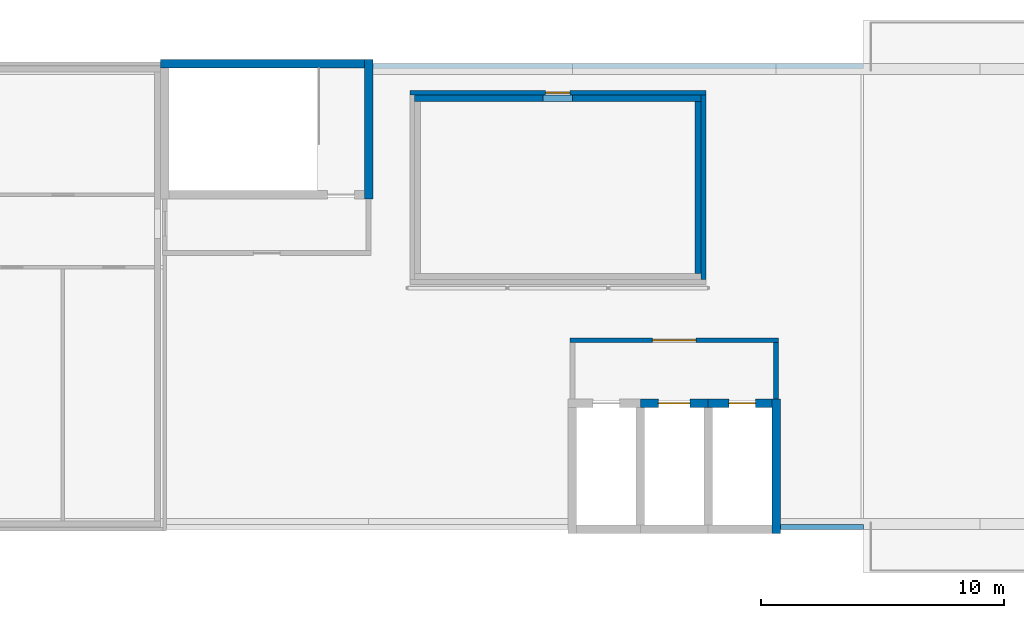
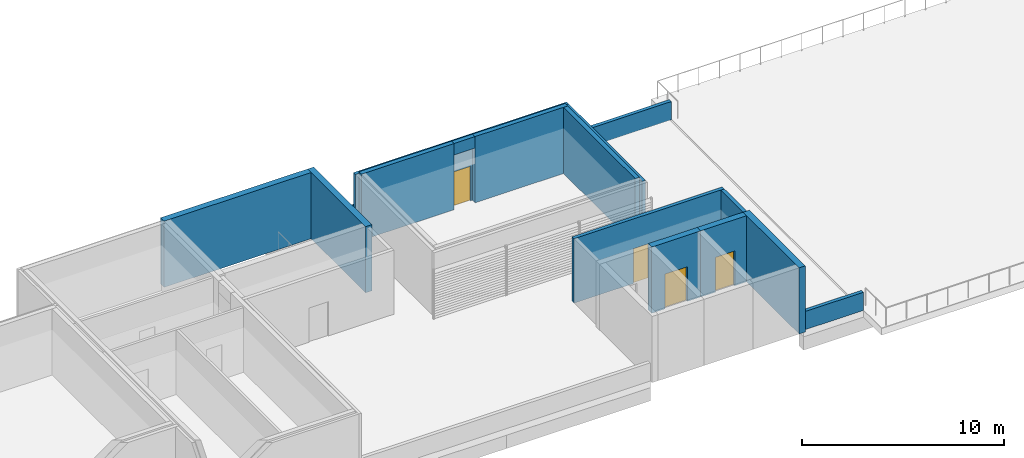
# One storey, part 4 of 13: 15 walls, 4 doors, 4 openings.
"""IFC4 building model written with IfcOpenShell, lengths in metres."""

import ifcopenshell
import ifcopenshell.guid

model = None  # the IFC model being written
_history = None  # IfcOwnerHistory: only IFC2X3 demands one
_inside = {}  # id of a spatial element -> (the spatial element, [elements in it])
_under = {}  # id of a project, library or spatial element -> (it, [spatial elements below it])
_declared = {}  # id of a project -> (the project, [libraries it declares])
_typed = {}  # id of a type object -> (the type object, [elements of that type])
_made_of = {}  # id of a material, layer set ... -> (it, [elements and type objects made of it])


def new_model(schema):
    """Start an empty IFC model of exactly this schema.

    Asked for "IFC4X3", IfcOpenShell would pick the latest addendum, in which some entities
    have other attributes; the version numbers below select the first issue.
    IFC2X3 requires an IfcOwnerHistory on every rooted entity: one is made here for all.
    """
    global model, _history
    if schema == "IFC4X3":
        model = ifcopenshell.file(schema_version=(4, 3, 0, 0))
    else:
        model = ifcopenshell.file(schema=schema)
    _inside.clear()
    _under.clear()
    _declared.clear()
    _typed.clear()
    _made_of.clear()
    _history = None
    if model.schema == "IFC2X3":
        org = make("IfcOrganization", Name="unknown")
        user = make(
            "IfcPersonAndOrganization",
            ThePerson=make("IfcPerson", FamilyName="unknown"),
            TheOrganization=org,
        )
        app = make(
            "IfcApplication",
            ApplicationDeveloper=org,
            Version="unknown",
            ApplicationFullName="unknown",
            ApplicationIdentifier="unknown",
        )
        _history = make(
            "IfcOwnerHistory",
            OwningUser=user,
            OwningApplication=app,
            ChangeAction="ADDED",
            CreationDate=0,
        )
    return model


def make(cls, **values):
    """One entity of the class cls with the attributes given. An attribute that is None is left unset."""
    return model.create_entity(
        cls, **{name: value for name, value in values.items() if value is not None}
    )


def rooted(cls, **values):
    """An entity with a GlobalId (a new one), such as an element, a storey or a relation."""
    return make(cls, GlobalId=ifcopenshell.guid.new(), OwnerHistory=_history, **values)


def si_unit(unit_type, name, prefix=None):
    """IfcSIUnit, for example si_unit("LENGTHUNIT", "METRE", prefix="MILLI")."""
    return make("IfcSIUnit", UnitType=unit_type, Prefix=prefix, Name=name)


def assignment(units):
    """IfcUnitAssignment: the units of a project."""
    return None if units is None else make("IfcUnitAssignment", Units=units)


def point(xyz):
    """IfcCartesianPoint."""
    return None if xyz is None else make("IfcCartesianPoint", Coordinates=xyz)


def direction(xyz):
    """IfcDirection."""
    return None if xyz is None else make("IfcDirection", DirectionRatios=xyz)


def frame(location, z_axis=None, x_axis=None):
    """IfcAxis2Placement3D, a coordinate frame: its origin and axes. An axis left out is left unset."""
    return make(
        "IfcAxis2Placement3D",
        Location=point(location),
        Axis=direction(z_axis),
        RefDirection=direction(x_axis),
    )


def frame_2d(location, x_axis=None):
    """IfcAxis2Placement2D, a coordinate frame in the plane: its origin and x axis."""
    return make(
        "IfcAxis2Placement2D", Location=point(location), RefDirection=direction(x_axis)
    )


def origin():
    """The frame at (0, 0, 0) with its axes left unset."""
    return frame((0.0, 0.0, 0.0))


def place(relative_to, where):
    """IfcLocalPlacement: puts the frame where relative to a parent placement (None: the world)."""
    return make(
        "IfcLocalPlacement", PlacementRelTo=relative_to, RelativePlacement=where
    )


def context(
    kind, dimensions, precision=None, world=None, true_north=None, identifier=None
):
    """IfcGeometricRepresentationContext, for example the 3D "Model" context."""
    return make(
        "IfcGeometricRepresentationContext",
        ContextIdentifier=identifier,
        ContextType=kind,
        CoordinateSpaceDimension=dimensions,
        Precision=precision,
        WorldCoordinateSystem=world,
        TrueNorth=true_north,
    )


def subcontext(parent, identifier, kind, view, scale=None):
    """IfcGeometricRepresentationSubContext, for example "Body" below "Model"."""
    return make(
        "IfcGeometricRepresentationSubContext",
        ContextIdentifier=identifier,
        ContextType=kind,
        ParentContext=parent,
        TargetScale=scale,
        TargetView=view,
    )


def project(units=None, contexts=None):
    """IfcProject with its units and contexts."""
    return rooted(
        "IfcProject",
        Name="project",
        RepresentationContexts=contexts,
        UnitsInContext=assignment(units),
    )


def spatial(cls, under=None, at=None, **own):
    """A site, building, storey or space (cls), placed at a placement, below another one or the project."""
    s = rooted(cls, ObjectPlacement=at, **own)
    if under is not None:
        _under.setdefault(under.id(), (under, []))[1].append(s)
    return s


def polyline(points):
    """IfcPolyline through the points."""
    return make("IfcPolyline", Points=[point(p) for p in points])


def profile(cls, at=None, kind="AREA", **sizes):
    """A parametric profile (cls). Its sizes go by their IFC names, for example OverallWidth=200.0."""
    return make(cls, ProfileType=kind, Position=at, **sizes)


def rectangle(**sizes):
    """IfcRectangleProfileDef."""
    return profile("IfcRectangleProfileDef", **sizes)


def outline(outer, holes=None, kind="AREA"):
    """IfcArbitraryClosedProfileDef: a profile drawn as a closed curve; with holes, ...WithVoids."""
    if holes is None:
        return make("IfcArbitraryClosedProfileDef", ProfileType=kind, OuterCurve=outer)
    return make(
        "IfcArbitraryProfileDefWithVoids",
        ProfileType=kind,
        OuterCurve=outer,
        InnerCurves=holes,
    )


def extrude(swept, where, along, depth):
    """IfcExtrudedAreaSolid: the profile swept, set in the frame where, extruded along a direction by depth."""
    return make(
        "IfcExtrudedAreaSolid",
        SweptArea=swept,
        Position=where,
        ExtrudedDirection=direction(along),
        Depth=depth,
    )


def shape(context_of_items, identifier, shape_type, items):
    """IfcShapeRepresentation: the items that make up one representation, for example the "Body"."""
    return make(
        "IfcShapeRepresentation",
        ContextOfItems=context_of_items,
        RepresentationIdentifier=identifier,
        RepresentationType=shape_type,
        Items=items,
    )


def material(Name=None, Category=None):
    """IfcMaterial."""
    return make("IfcMaterial", Name=Name, Category=Category)


def layer(
    of_material, thickness, ventilated=None, Name=None, Category=None, Priority=None
):
    """IfcMaterialLayer: one layer of a wall or slab, of a material (None: an air gap)."""
    return make(
        "IfcMaterialLayer",
        Material=of_material,
        LayerThickness=thickness,
        IsVentilated=ventilated,
        Name=Name,
        Category=Category,
        Priority=Priority,
    )


def layer_set(layers, Name=None):
    """IfcMaterialLayerSet."""
    return make("IfcMaterialLayerSet", MaterialLayers=layers, LayerSetName=Name)


def made_of(thing, what):
    """Note that an element or type object is made of a material, layer set ...; save() writes the relation."""
    if what is not None:
        _made_of.setdefault(what.id(), (what, []))[1].append(thing)
    return thing


def type_object(cls, material=None, **own):
    """A type object (cls), such as IfcWallType, which elements share."""
    return made_of(rooted(cls, **own), material)


def element(
    cls,
    number,
    at=None,
    inside=None,
    cuts=None,
    type_object=None,
    material=None,
    context=None,
    identifier="Body",
    shape_type=None,
    held_by="IfcProductDefinitionShape",
    body=None,
    shapes=None,
    **own,
):
    """One element of the class cls, such as IfcWall. Its Tag is "e" and its number.

    at: its placement. inside: the storey or other place that contains it. cuts: it is an
    opening in that element (IfcRelVoidsElement). A single representation is given by context,
    identifier, shape_type and body (its items); several are given by shapes. held_by: the class
    of the entity that holds the representations. save() writes the other relations.
    """
    e = rooted(cls, Tag="e%d" % number, ObjectPlacement=at, **own)
    if body is not None:
        shapes = [shape(context, identifier, shape_type, body)]
    if shapes is not None:
        e.Representation = make(held_by, Representations=shapes)
    if inside is not None:
        _inside.setdefault(inside.id(), (inside, []))[1].append(e)
    if cuts is not None:
        rooted(
            "IfcRelVoidsElement", RelatingBuildingElement=cuts, RelatedOpeningElement=e
        )
    if type_object is not None:
        _typed.setdefault(type_object.id(), (type_object, []))[1].append(e)
    return made_of(e, material)


def fill(opening, filler):
    """IfcRelFillsElement: the door or window that sits in an opening."""
    return rooted(
        "IfcRelFillsElement",
        RelatingOpeningElement=opening,
        RelatedBuildingElement=filler,
    )


def aggregate(whole, parts):
    """IfcRelAggregates: a whole, such as a stair, and the parts it consists of."""
    return rooted("IfcRelAggregates", RelatingObject=whole, RelatedObjects=parts)


def save(model, path):
    """Write the relations noted so far, then the file.

    IfcRelAggregates (storeys below a building ...), IfcRelContainedInSpatialStructure (elements
    in a storey), IfcRelDefinesByType, IfcRelAssociatesMaterial and IfcRelDeclares: one each for
    every whole, place, type object, material and project.
    """
    for whole, parts in _under.values():
        aggregate(whole, parts)
    for where, things in _inside.values():
        rooted(
            "IfcRelContainedInSpatialStructure",
            RelatedElements=things,
            RelatingStructure=where,
        )
    for kind, things in _typed.values():
        rooted("IfcRelDefinesByType", RelatedObjects=things, RelatingType=kind)
    for what, things in _made_of.values():
        rooted("IfcRelAssociatesMaterial", RelatedObjects=things, RelatingMaterial=what)
    for by, libraries in _declared.values():
        rooted("IfcRelDeclares", RelatingContext=by, RelatedDefinitions=libraries)
    model.write(path)


model = new_model("IFC4")

# Units and contexts
model_context = context("Model", 3, precision=1e-05, world=origin(), true_north=direction((0.0, 1.0)))
body_context = subcontext(model_context, "Body", "Model", "MODEL_VIEW")
ifc_project = project(units=[si_unit("LENGTHUNIT", "METRE"), si_unit("AREAUNIT", "SQUARE_METRE"), si_unit("VOLUMEUNIT", "CUBIC_METRE"), si_unit("PLANEANGLEUNIT", "RADIAN"), si_unit("MASSUNIT", "GRAM", prefix="KILO")], contexts=[model_context])

# Site, building, storey
site_placement = place(None, origin())
site = spatial("IfcSite", under=ifc_project, at=site_placement, CompositionType="ELEMENT")
building_placement = place(site_placement, origin())
building = spatial("IfcBuilding", under=site, at=building_placement, Name="Bougainvillea Quay General Hospital", CompositionType="ELEMENT")
storey_placement = place(building_placement, frame((0.0, 0.0, 36.60009765625)))
storey = spatial("IfcBuildingStorey", under=building, at=storey_placement, Name="L08", CompositionType="ELEMENT", Elevation=36.60009765625)

# Walls
ifc_material_1 = material(Name="Concrete C40, cast in situ", Category="concrete")
ifc_layer_1 = layer(ifc_material_1, 0.25)
ifc_layer_set_1 = layer_set([ifc_layer_1], Name="Concrete C40, cast in situ")
wall_type_1 = type_object("IfcWallType", Name="Lift overrun wall RC 250", PredefinedType="SOLIDWALL", material=ifc_layer_set_1)
wall_1_placement = place(storey_placement, origin())
element("IfcWall", 1, at=wall_1_placement, inside=storey, type_object=wall_type_1, Name="Lift overrun wall 0", PredefinedType="SOLIDWALL", context=body_context, shape_type="SweptSolid", body=[
    extrude(outline(polyline([(144.700439453125, 158.049560546875), (144.700439453125, 158.299560546875), (150.0, 158.299560546875), (150.0, 158.049560546875), (144.700439453125, 158.049560546875)])), origin(), (0.0, 0.0, 1.0), 4.0),
])
wall_2_placement = place(storey_placement, origin())
element("IfcWall", 2, at=wall_2_placement, inside=storey, type_object=wall_type_1, Name="Lift overrun wall 0", PredefinedType="SOLIDWALL", context=body_context, shape_type="SweptSolid", body=[
    extrude(outline(polyline([(156.24951171875, 150.950439453125), (156.49951171875, 150.950439453125), (156.49951171875, 158.049560546875), (156.24951171875, 158.049560546875), (156.24951171875, 150.950439453125)])), origin(), (0.0, 0.0, 1.0), 4.0),
])
wall_3_placement = place(storey_placement, origin())
element("IfcWall", 3, at=wall_3_placement, inside=storey, type_object=wall_type_1, Name="Lift overrun wall 0", PredefinedType="SOLIDWALL", context=body_context, shape_type="SweptSolid", body=[
    extrude(outline(polyline([(156.49951171875, 158.299560546875), (156.49951171875, 158.049560546875), (151.199951171875, 158.049560546875), (151.199951171875, 158.299560546875), (156.49951171875, 158.299560546875)])), origin(), (0.0, 0.0, 1.0), 4.0),
])
wall_4_placement = place(storey_placement, frame((0.0, 0.0, 3.309814453125)))
element("IfcWall", 4, at=wall_4_placement, inside=storey, type_object=wall_type_1, Name="Lift overrun wall 0", PredefinedType="SOLIDWALL", context=body_context, shape_type="SweptSolid", body=[
    extrude(outline(polyline([(150.0, 158.049560546875), (150.0, 158.299560546875), (151.199951171875, 158.299560546875), (151.199951171875, 158.049560546875), (150.0, 158.049560546875)])), origin(), (0.0, 0.0, 1.0), 0.690185546875),
])

# Wall, opening, door
ifc_material_2 = material(Name="Fire-rated autoclaved aerated block wall, plastered")
ifc_layer_2 = layer(ifc_material_2, 0.199951171875)
ifc_layer_set_2 = layer_set([ifc_layer_2], Name="Fire-rated autoclaved aerated block wall, plastered")
wall_type_2 = type_object("IfcWallType", Name="Partition 200 Fire-rated autoclaved aerated block wall EI 120", PredefinedType="SOLIDWALL", material=ifc_layer_set_2)
wall_5_placement = place(storey_placement, frame((151.10009765625, 148.199951171875, 0.0), z_axis=(0.0, 0.0, 1.0), x_axis=(1.0, 0.0, 0.0)))
wall_5 = element("IfcWall", 5, at=wall_5_placement, inside=storey, type_object=wall_type_2, Name="Partition 200 mm EI 120", PredefinedType="SOLIDWALL", context=body_context, shape_type="SweptSolid", body=[
    extrude(rectangle(XDim=8.599853515625, YDim=0.199951171875, at=frame_2d((4.2998046875, 0.0))), origin(), (0.0, 0.0, 1.0), 3.89990234375),
])
opening_1_placement = place(wall_5_placement, frame((3.39990234375, 0.0, 0.0)))
opening_1 = element("IfcOpeningElement", 6, at=opening_1_placement, cuts=wall_5, Name="Opening L08.001", PredefinedType="OPENING", context=body_context, shape_type="SweptSolid", body=[
    extrude(rectangle(XDim=1.800048828125, YDim=2.10009765625, at=frame_2d((0.89990234375, 1.050048828125))), frame((0.0, 0.10986328125, 0.0), z_axis=(0.0, -1.0, 0.0), x_axis=(1.0, 0.0, 0.0)), (0.0, 0.0, 1.0), 0.219970703125),
])
ifc_material_3 = material(Name="Steel fire door leaves in steel frame", Category="steel")
door_type_1 = type_object("IfcDoorType", Name="Steel double leaf door 1800x2100 FD60", OperationType="DOUBLE_DOOR_SINGLE_SWING", PredefinedType="DOOR", material=ifc_material_3)
door_1_placement = place(opening_1_placement, frame((1.800048828125, 0.0, 0.0), z_axis=(0.0, 0.0, 1.0), x_axis=(-1.0, 0.0, 0.0)))
door_1 = element("IfcDoor", 7, at=door_1_placement, inside=storey, type_object=door_type_1, Name="DT05 L08.001", OperationType="DOUBLE_DOOR_SINGLE_SWING", OverallHeight=2.10009765625, OverallWidth=1.800048828125, PredefinedType="DOOR", context=body_context, shape_type="SweptSolid", body=[
    extrude(rectangle(XDim=1.800048828125, YDim=2.10009765625, at=frame_2d((0.89990234375, 1.050048828125))), frame((0.0, 0.02490234375, 0.0), z_axis=(0.0, -1.0, 0.0), x_axis=(1.0, 0.0, 0.0)), (0.0, 0.0, 1.0), 0.050048828125),
])
fill(opening_1, door_1)

# Wall
wall_6_placement = place(storey_placement, frame((159.60009765625, 145.77490234375, 0.0), z_axis=(0.0, 0.0, 1.0), x_axis=(0.0, 1.0, 0.0)))
element("IfcWall", 8, at=wall_6_placement, inside=storey, type_object=wall_type_2, Name="Partition 200 mm EI 120", PredefinedType="SOLIDWALL", context=body_context, shape_type="SweptSolid", body=[
    extrude(rectangle(XDim=2.3251953125, YDim=0.199951171875, at=frame_2d((1.16259765625, 0.0))), origin(), (0.0, 0.0, 1.0), 3.89990234375),
])

# Wall, opening, door
ifc_layer_3 = layer(ifc_material_2, 0.199951171875)
ifc_layer_set_3 = layer_set([ifc_layer_3], Name="Fire-rated autoclaved aerated block wall, plastered")
wall_type_3 = type_object("IfcWallType", Name="Partition 200 Fire-rated autoclaved aerated block wall EI 60", PredefinedType="SOLIDWALL", material=ifc_layer_set_3)
wall_7_placement = place(storey_placement, frame((144.5, 158.39990234375, 0.0), z_axis=(0.0, 0.0, 1.0), x_axis=(1.0, 0.0, 0.0)))
wall_7 = element("IfcWall", 9, at=wall_7_placement, inside=storey, type_object=wall_type_3, Name="Partition 200 mm EI 60", PredefinedType="SOLIDWALL", context=body_context, shape_type="SweptSolid", body=[
    extrude(rectangle(XDim=12.199951171875, YDim=0.199951171875, at=frame_2d((6.10009765625, 0.0))), origin(), (0.0, 0.0, 1.0), 3.89990234375),
])
opening_2_placement = place(wall_7_placement, frame((5.60009765625, 0.0, 0.0)))
opening_2 = element("IfcOpeningElement", 10, at=opening_2_placement, cuts=wall_7, Name="Opening L08.015", PredefinedType="OPENING", context=body_context, shape_type="SweptSolid", body=[
    extrude(rectangle(XDim=1.0, YDim=2.10009765625, at=frame_2d((0.5, 1.050048828125))), frame((0.0, 0.10986328125, 0.0), z_axis=(0.0, -1.0, 0.0), x_axis=(1.0, 0.0, 0.0)), (0.0, 0.0, 1.0), 0.219970703125),
])
ifc_material_4 = material(Name="Steel fire door leaf in steel frame", Category="steel")
door_type_2 = type_object("IfcDoorType", Name="Steel single leaf door 1000x2100 FD60", OperationType="NOTDEFINED", PredefinedType="DOOR", material=ifc_material_4)
door_2_placement = place(opening_2_placement, origin())
door_2 = element("IfcDoor", 11, at=door_2_placement, inside=storey, type_object=door_type_2, Name="DT10 L08.015", OperationType="SINGLE_SWING_LEFT", OverallHeight=2.10009765625, OverallWidth=1.0, PredefinedType="DOOR", context=body_context, shape_type="SweptSolid", body=[
    extrude(rectangle(XDim=1.0, YDim=2.10009765625, at=frame_2d((0.5, 1.050048828125))), frame((0.0, 0.02490234375, 0.0), z_axis=(0.0, -1.0, 0.0), x_axis=(1.0, 0.0, 0.0)), (0.0, 0.0, 1.0), 0.050048828125),
])
fill(opening_2, door_2)

# Walls
wall_8_placement = place(storey_placement, frame((156.60009765625, 150.699951171875, 0.0), z_axis=(0.0, 0.0, 1.0), x_axis=(0.0, 1.0, 0.0)))
element("IfcWall", 12, at=wall_8_placement, inside=storey, type_object=wall_type_3, Name="Partition 200 mm EI 60", PredefinedType="SOLIDWALL", context=body_context, shape_type="SweptSolid", body=[
    extrude(rectangle(XDim=7.60009765625, YDim=0.199951171875, at=frame_2d((3.800048828125, 0.0))), origin(), (0.0, 0.0, 1.0), 3.89990234375),
])
ifc_material_5 = material(Name="Concrete C40", Category="concrete")
ifc_layer_4 = layer(ifc_material_5, 0.35009765625)
ifc_layer_set_4 = layer_set([ifc_layer_4], Name="Concrete C40")
wall_type_4 = type_object("IfcWallType", Name="RC SHEAR WALL 350 C40", PredefinedType="SHEAR", material=ifc_layer_set_4)
wall_9_placement = place(storey_placement, frame((134.22509765625, 159.60009765625, 0.0), z_axis=(0.0, 0.0, 1.0), x_axis=(1.0, 0.0, 0.0)))
element("IfcWall", 13, at=wall_9_placement, inside=storey, type_object=wall_type_4, Name="Shear wall L08", PredefinedType="SHEAR", context=body_context, shape_type="SweptSolid", body=[
    extrude(rectangle(XDim=8.39990234375, YDim=0.35009765625, at=frame_2d((4.199951171875, 0.0))), origin(), (0.0, 0.0, 1.0), 4.0),
])
wall_10_placement = place(storey_placement, frame((142.800048828125, 154.02490234375, 0.0), z_axis=(0.0, 0.0, 1.0), x_axis=(0.0, 1.0, 0.0)))
element("IfcWall", 14, at=wall_10_placement, inside=storey, type_object=wall_type_4, Name="Shear wall L08", PredefinedType="SHEAR", context=body_context, shape_type="SweptSolid", body=[
    extrude(rectangle(XDim=5.75, YDim=0.35009765625, at=frame_2d((2.875, 0.0))), origin(), (0.0, 0.0, 1.0), 4.0),
])

# Wall, opening, door
wall_11_placement = place(storey_placement, frame((154.0, 145.60009765625, 0.0), z_axis=(0.0, 0.0, 1.0), x_axis=(1.0, 0.0, 0.0)))
wall_11 = element("IfcWall", 15, at=wall_11_placement, inside=storey, type_object=wall_type_4, Name="Shear wall L08", PredefinedType="SHEAR", context=body_context, shape_type="SweptSolid", body=[
    extrude(rectangle(XDim=2.800048828125, YDim=0.35009765625, at=frame_2d((1.39990234375, 0.0))), origin(), (0.0, 0.0, 1.0), 4.0),
])
opening_3_placement = place(wall_11_placement, frame((0.75, 0.0, 0.0)))
opening_3 = element("IfcOpeningElement", 16, at=opening_3_placement, cuts=wall_11, Name="Opening LD-A2.2-L08", PredefinedType="OPENING", context=body_context, shape_type="SweptSolid", body=[
    extrude(rectangle(XDim=1.300048828125, YDim=2.10009765625, at=frame_2d((0.64990234375, 1.050048828125))), frame((0.0, 0.18505859375, 0.0), z_axis=(0.0, -1.0, 0.0), x_axis=(1.0, 0.0, 0.0)), (0.0, 0.0, 1.0), 0.3701171875),
])
ifc_material_6 = material(Name="Stainless steel centre-opening landing door", Category="steel")
door_type_3 = type_object("IfcDoorType", Name="Lift landing door 1300x2100 E 120", OperationType="DOUBLE_DOOR_SLIDING", PredefinedType="DOOR", material=ifc_material_6)
door_3_placement = place(opening_3_placement, origin())
door_3 = element("IfcDoor", 17, at=door_3_placement, inside=storey, type_object=door_type_3, Name="Lift landing door LB-A2-2 L08", OperationType="DOUBLE_DOOR_SLIDING", OverallHeight=2.10009765625, OverallWidth=1.300048828125, PredefinedType="DOOR", context=body_context, shape_type="SweptSolid", body=[
    extrude(rectangle(XDim=1.300048828125, YDim=2.10009765625, at=frame_2d((0.64990234375, 1.050048828125))), frame((0.0, 0.02490234375, 0.0), z_axis=(0.0, -1.0, 0.0), x_axis=(1.0, 0.0, 0.0)), (0.0, 0.0, 1.0), 0.050048828125),
])
fill(opening_3, door_3)

wall_12_placement = place(storey_placement, frame((156.800048828125, 145.60009765625, 0.0), z_axis=(0.0, 0.0, 1.0), x_axis=(1.0, 0.0, 0.0)))
wall_12 = element("IfcWall", 18, at=wall_12_placement, inside=storey, type_object=wall_type_4, Name="Shear wall L08", PredefinedType="SHEAR", context=body_context, shape_type="SweptSolid", body=[
    extrude(rectangle(XDim=2.625, YDim=0.35009765625, at=frame_2d((1.3125, 0.0))), origin(), (0.0, 0.0, 1.0), 4.0),
])
opening_4_placement = place(wall_12_placement, frame((0.85009765625, 0.0, 0.0)))
opening_4 = element("IfcOpeningElement", 19, at=opening_4_placement, cuts=wall_12, Name="Opening LD-A2.3-L08", PredefinedType="OPENING", context=body_context, shape_type="SweptSolid", body=[
    extrude(rectangle(XDim=1.10009765625, YDim=2.10009765625, at=frame_2d((0.550048828125, 1.050048828125))), frame((0.0, 0.18505859375, 0.0), z_axis=(0.0, -1.0, 0.0), x_axis=(1.0, 0.0, 0.0)), (0.0, 0.0, 1.0), 0.3701171875),
])
door_type_4 = type_object("IfcDoorType", Name="Lift landing door 1100x2100 E 120", OperationType="DOUBLE_DOOR_SLIDING", PredefinedType="DOOR", material=ifc_material_6)
door_4_placement = place(opening_4_placement, origin())
door_4 = element("IfcDoor", 20, at=door_4_placement, inside=storey, type_object=door_type_4, Name="Lift landing door LB-A2-3 L08", OperationType="DOUBLE_DOOR_SLIDING", OverallHeight=2.10009765625, OverallWidth=1.10009765625, PredefinedType="DOOR", context=body_context, shape_type="SweptSolid", body=[
    extrude(rectangle(XDim=1.10009765625, YDim=2.10009765625, at=frame_2d((0.550048828125, 1.050048828125))), frame((0.0, 0.02490234375, 0.0), z_axis=(0.0, -1.0, 0.0), x_axis=(1.0, 0.0, 0.0)), (0.0, 0.0, 1.0), 0.050048828125),
])
fill(opening_4, door_4)

# Walls
wall_13_placement = place(storey_placement, frame((159.60009765625, 140.22509765625, 0.0), z_axis=(0.0, 0.0, 1.0), x_axis=(0.0, 1.0, 0.0)))
element("IfcWall", 21, at=wall_13_placement, inside=storey, type_object=wall_type_4, Name="Shear wall L08", PredefinedType="SHEAR", context=body_context, shape_type="SweptSolid", body=[
    extrude(rectangle(XDim=5.5498046875, YDim=0.35009765625, at=frame_2d((2.77490234375, 0.0))), origin(), (0.0, 0.0, 1.0), 4.0),
])
ifc_material_7 = material(Name="Concrete C35 upstand, painted white", Category="concrete")
ifc_layer_5 = layer(ifc_material_7, 0.199951171875)
ifc_layer_set_5 = layer_set([ifc_layer_5], Name="Concrete C35 upstand, painted white")
wall_type_5 = type_object("IfcWallType", Name="Roof parapet wall 200", PredefinedType="PARAPET", material=ifc_layer_set_5)
wall_14_placement = place(storey_placement, origin())
element("IfcWall", 22, at=wall_14_placement, inside=storey, type_object=wall_type_5, Name="Roof parapet 0 3", PredefinedType="PARAPET", context=body_context, shape_type="SweptSolid", body=[
    extrude(outline(polyline([(163.199951171875, 159.60009765625), (163.199951171875, 159.39990234375), (142.97998046875, 159.39990234375), (142.97998046875, 159.60009765625), (163.199951171875, 159.60009765625)])), origin(), (0.0, 0.0, 1.0), 1.099853515625),
])
wall_15_placement = place(storey_placement, origin())
element("IfcWall", 23, at=wall_15_placement, inside=storey, type_object=wall_type_5, Name="Roof parapet 0 7", PredefinedType="PARAPET", context=body_context, shape_type="SweptSolid", body=[
    extrude(outline(polyline([(163.199951171875, 140.60009765625), (163.199951171875, 140.39990234375), (159.780029296875, 140.39990234375), (159.780029296875, 140.60009765625), (163.199951171875, 140.60009765625)])), origin(), (0.0, 0.0, 1.0), 1.099853515625),
])

save(model, "model.ifc")
